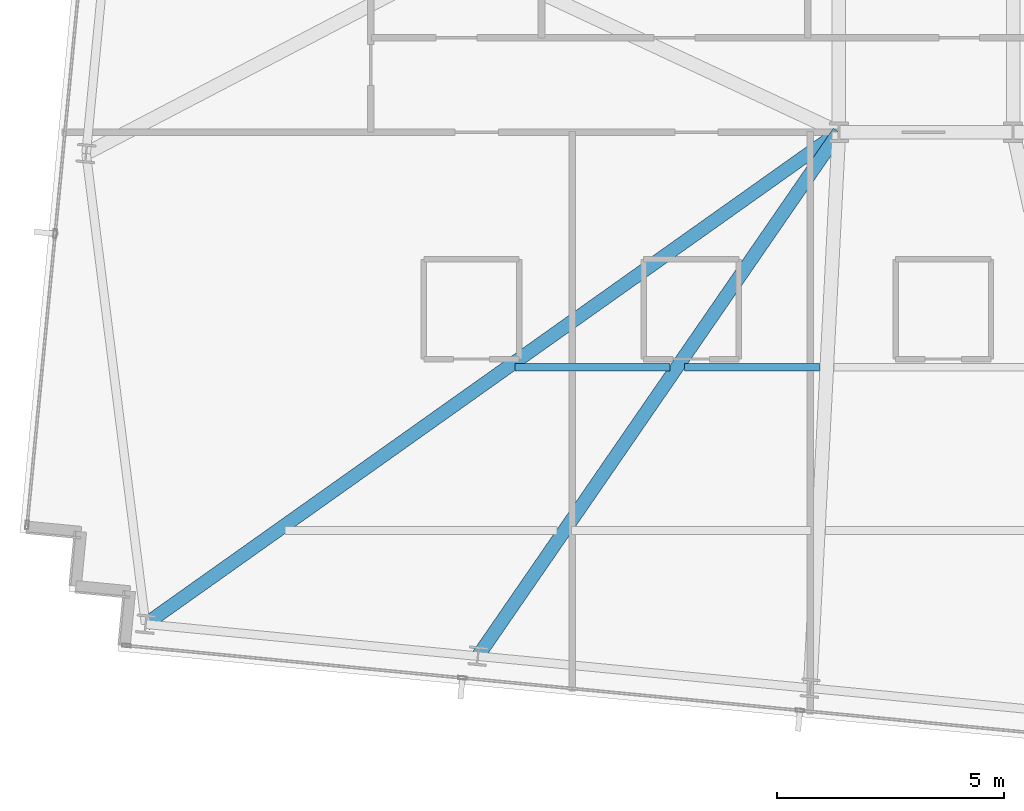
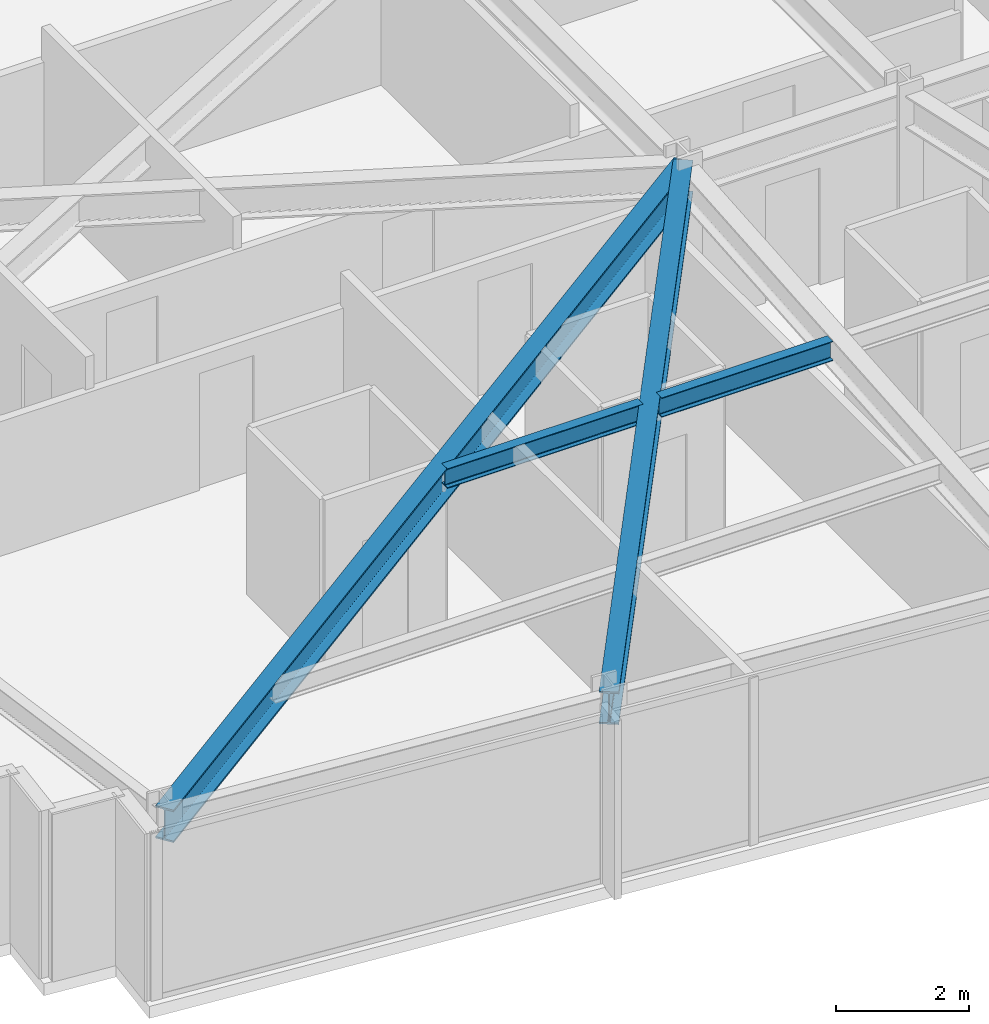
# One storey, part 5 of 37: 4 beams.
"""IFC4 building model written with IfcOpenShell, lengths in metres."""

from ifc_helpers import new_model, si_unit, direction, frame, origin, origin_2d, place, context, subcontext, project, spatial, i_section, extrude, material, material_profile, profile_set, type_object, element, save


model = new_model("IFC4")

# Units and contexts
model_context = context("Model", 3, precision=1e-05, world=origin(), true_north=direction((0.0, 1.0)))
body_context = subcontext(model_context, "Body", "Model", "MODEL_VIEW")
ifc_project = project(units=[si_unit("LENGTHUNIT", "METRE"), si_unit("AREAUNIT", "SQUARE_METRE"), si_unit("VOLUMEUNIT", "CUBIC_METRE"), si_unit("PLANEANGLEUNIT", "RADIAN"), si_unit("MASSUNIT", "GRAM", prefix="KILO")], contexts=[model_context])

# Site, building, storey
site_placement = place(None, origin())
site = spatial("IfcSite", under=ifc_project, at=site_placement, CompositionType="ELEMENT")
building_placement = place(site_placement, origin())
building = spatial("IfcBuilding", under=site, at=building_placement, Name="Yelkora Congress Tower", CompositionType="ELEMENT")
storey_placement = place(building_placement, frame((0.0, 0.0, 162.199951171875)))
storey = spatial("IfcBuildingStorey", under=building, at=storey_placement, Name="L44", CompositionType="ELEMENT", Elevation=162.199951171875)

# Beams
ifc_material = material(Name="Steel S355J2", Category="steel")
ifc_material_profile_1 = material_profile(ifc_material, i_section(OverallWidth=0.300048828125, OverallDepth=0.60009765625, WebThickness=0.015380859375, FlangeThickness=0.030029296875, FilletRadius=0.027099609375, at=origin_2d()), Name="HEB 600")
ifc_profile_set_1 = profile_set([ifc_material_profile_1], Name="Steel S355J2")
beam_type_1 = type_object("IfcBeamType", Name="BM-GIRD-HEB600", PredefinedType="BEAM", material=ifc_profile_set_1)
beam_1_placement = place(storey_placement, frame((3.919189453125, 14.357421875, 2.780029296875), z_axis=(0.815554555366, 0.578680194254, 0.0), x_axis=(-0.578680194254, 0.815554555366, 0.0)))
element("IfcBeam", 1, at=beam_1_placement, inside=storey, type_object=beam_type_1, Name="L44 Primary Frame Girder S01", PredefinedType="BEAM", context=body_context, shape_type="SweptSolid", body=[
    extrude(i_section(OverallWidth=0.300048828125, OverallDepth=0.60009765625, WebThickness=0.015380859375, FlangeThickness=0.030029296875, FilletRadius=0.027099609375, at=origin_2d()), origin(), (0.0, 0.0, 1.0), 18.736572265625),
])
beam_2_placement = place(storey_placement, frame((11.242431640625, 13.652099609375, 2.780029296875), z_axis=(0.567418043278, 0.823429878109, 0.0), x_axis=(-0.823429878109, 0.567418043278, 0.0)))
element("IfcBeam", 2, at=beam_2_placement, inside=storey, type_object=beam_type_1, Name="L44 Primary Frame Girder S02", PredefinedType="BEAM", context=body_context, shape_type="SweptSolid", body=[
    extrude(i_section(OverallWidth=0.300048828125, OverallDepth=0.60009765625, WebThickness=0.015380859375, FlangeThickness=0.030029296875, FilletRadius=0.027099609375, at=origin_2d()), origin(), (0.0, 0.0, 1.0), 14.024169921875),
])
ifc_material_profile_2 = material_profile(ifc_material, i_section(OverallWidth=0.169921875, OverallDepth=0.360107421875, WebThickness=0.008056640625, FlangeThickness=0.0126953125, FilletRadius=0.01806640625, at=origin_2d()), Name="IPE 360")
ifc_profile_set_2 = profile_set([ifc_material_profile_2], Name="Steel S355J2")
beam_type_2 = type_object("IfcBeamType", Name="BM-JOIST-IPE360", PredefinedType="JOIST", material=ifc_profile_set_2)
beam_3_placement = place(storey_placement, frame((12.061279296875, 20.021240234375, 2.900146484375), z_axis=(1.0, 0.0, 0.0), x_axis=(0.0, 1.0, 0.0)))
element("IfcBeam", 3, at=beam_3_placement, inside=storey, type_object=beam_type_2, Name="L44 Composite Floor Joist 12", PredefinedType="JOIST", context=body_context, shape_type="SweptSolid", body=[
    extrude(i_section(OverallWidth=0.169921875, OverallDepth=0.360107421875, WebThickness=0.008056640625, FlangeThickness=0.0126953125, FilletRadius=0.01806640625, at=origin_2d()), origin(), (0.0, 0.0, 1.0), 3.409912109375),
])
beam_4_placement = place(storey_placement, frame((15.791259765625, 20.021240234375, 2.900146484375), z_axis=(1.0, 0.0, 0.0), x_axis=(0.0, 1.0, 0.0)))
element("IfcBeam", 4, at=beam_4_placement, inside=storey, type_object=beam_type_2, Name="L44 Composite Floor Joist 13", PredefinedType="JOIST", context=body_context, shape_type="SweptSolid", body=[
    extrude(i_section(OverallWidth=0.169921875, OverallDepth=0.360107421875, WebThickness=0.008056640625, FlangeThickness=0.0126953125, FilletRadius=0.01806640625, at=origin_2d()), origin(), (0.0, 0.0, 1.0), 2.980712890625),
])

save(model, "model.ifc")
